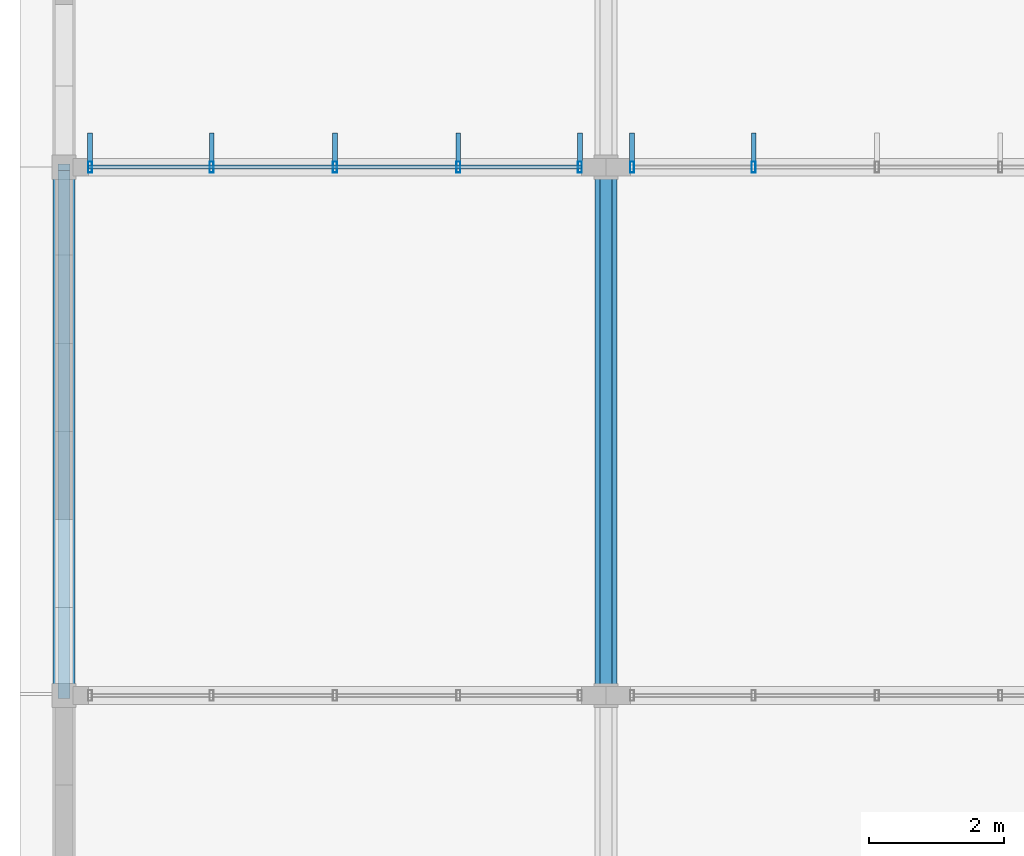
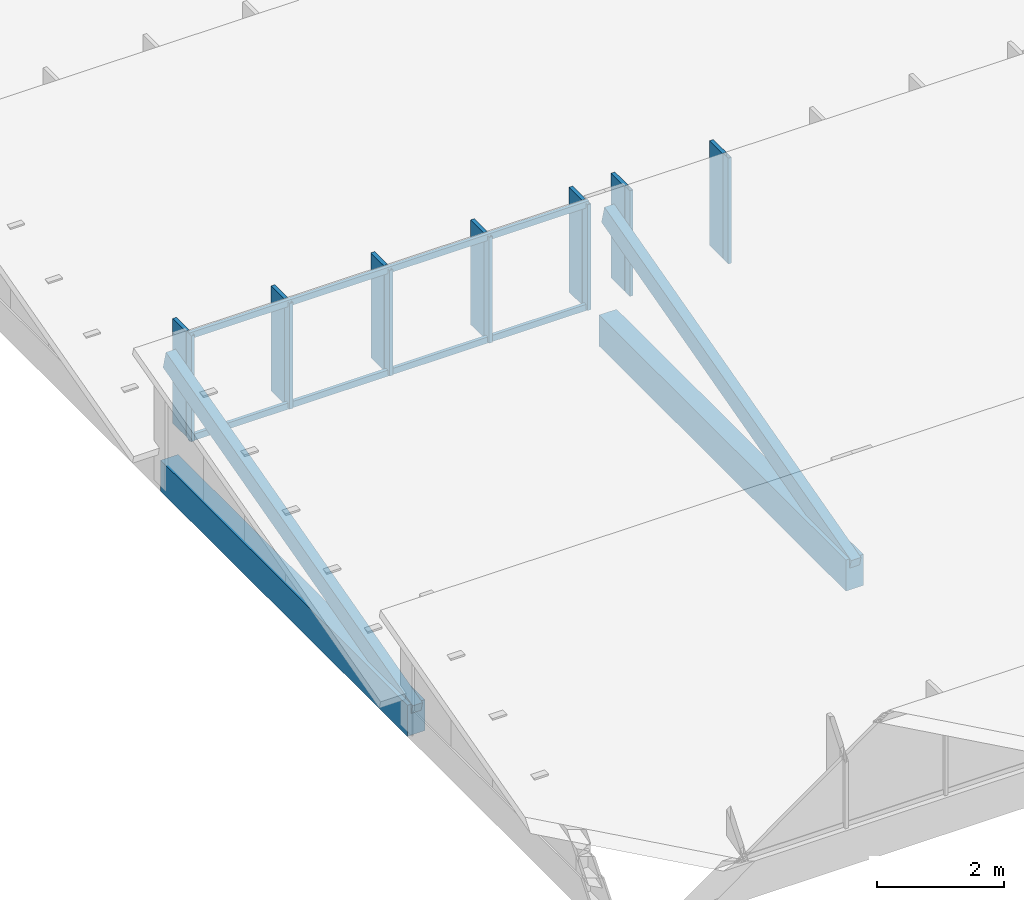
# One storey, part 14 of 94: 20 members, 2 elements without a shape of their own.
"""IFC4 building model written with IfcOpenShell, lengths in metres."""

from ifc_helpers import new_model, si_unit, direction, frame, origin, origin_2d, place, context, subcontext, project, spatial, rectangle, hollow_rectangle, extrude, material, material_profile, profile_set, type_object, element, aggregate, save


model = new_model("IFC4")

# Units and contexts
model_context = context("Model", 3, precision=1e-05, world=origin(), true_north=direction((0.0, 1.0)))
body_context = subcontext(model_context, "Body", "Model", "MODEL_VIEW")
ifc_project = project(units=[si_unit("LENGTHUNIT", "METRE"), si_unit("AREAUNIT", "SQUARE_METRE"), si_unit("VOLUMEUNIT", "CUBIC_METRE"), si_unit("PLANEANGLEUNIT", "RADIAN"), si_unit("MASSUNIT", "GRAM", prefix="KILO")], contexts=[model_context])

# Site, building, storey
site_placement = place(None, origin())
site = spatial("IfcSite", under=ifc_project, at=site_placement, CompositionType="ELEMENT")
building_placement = place(site_placement, origin())
building = spatial("IfcBuilding", under=site, at=building_placement, Name="Chiffa Square Polytechnic", CompositionType="ELEMENT")
storey_placement = place(building_placement, frame((0.0, 0.0, 18.0)))
storey = spatial("IfcBuildingStorey", under=building, at=storey_placement, Name="L04", CompositionType="ELEMENT", Elevation=18.0)

# Curtain wall, members
ifc_material_1 = material(Name="Aluminium EN AW-6060 T66 and glulam shading", Category="wood")
curtain_wall_type_1 = type_object("IfcCurtainWallType", Name="CW-VERT-360X380", PredefinedType="USERDEFINED", material=ifc_material_1)
curtain_wall_1_placement = place(storey_placement, origin())
curtain_wall_1 = element("IfcCurtainWall", 1, at=curtain_wall_1_placement, inside=storey, type_object=curtain_wall_type_1, Name="Curtain wall CW-V6-SAW4-1", ObjectType="CURTAIN WALL", PredefinedType="USERDEFINED")
ifc_material_2 = material(Name="Aluminium EN AW-6060 T66", Category="aluminium")
ifc_material_profile_1 = material_profile(ifc_material_2, hollow_rectangle(XDim=0.06005859375, YDim=0.159912109375, WallThickness=0.00390625, at=origin_2d()), Name="ALU 60x160x4")
ifc_profile_set_1 = profile_set([ifc_material_profile_1], Name="Aluminium EN AW-6060 T66")
member_type_1 = type_object("IfcMemberType", Name="CWM-ALU-65X150", PredefinedType="MULLION", material=ifc_profile_set_1)
member_1_placement = place(storey_placement, frame((7.614990234375, 65.39990234375, 0.699951171875), z_axis=(0.0, 0.0, 1.0), x_axis=(1.0, 0.0, 0.0)))
member_1 = element("IfcMember", 2, at=member_1_placement, type_object=member_type_1, Name="Curtain wall mullion CW-V6-SAW4-1-M00", PredefinedType="MULLION", context=body_context, shape_type="SweptSolid", body=[
    extrude(hollow_rectangle(XDim=0.06005859375, YDim=0.159912109375, WallThickness=0.00390625, at=origin_2d()), origin(), (0.0, 0.0, 1.0), 2.0400390625),
])
member_2_placement = place(storey_placement, frame((5.820068359375, 65.39990234375, 0.699951171875), z_axis=(0.0, 0.0, 1.0), x_axis=(1.0, 0.0, 0.0)))
member_2 = element("IfcMember", 3, at=member_2_placement, type_object=member_type_1, Name="Curtain wall mullion CW-V6-SAW4-1-M01", PredefinedType="MULLION", context=body_context, shape_type="SweptSolid", body=[
    extrude(hollow_rectangle(XDim=0.06005859375, YDim=0.159912109375, WallThickness=0.00390625, at=origin_2d()), origin(), (0.0, 0.0, 1.0), 2.0400390625),
])
member_3_placement = place(storey_placement, frame((4.0, 65.39990234375, 0.699951171875), z_axis=(0.0, 0.0, 1.0), x_axis=(1.0, 0.0, 0.0)))
member_3 = element("IfcMember", 4, at=member_3_placement, type_object=member_type_1, Name="Curtain wall mullion CW-V6-SAW4-1-M02", PredefinedType="MULLION", context=body_context, shape_type="SweptSolid", body=[
    extrude(hollow_rectangle(XDim=0.06005859375, YDim=0.159912109375, WallThickness=0.00390625, at=origin_2d()), origin(), (0.0, 0.0, 1.0), 2.0400390625),
])
member_4_placement = place(storey_placement, frame((2.179931640625, 65.39990234375, 0.699951171875), z_axis=(0.0, 0.0, 1.0), x_axis=(1.0, 0.0, 0.0)))
member_4 = element("IfcMember", 5, at=member_4_placement, type_object=member_type_1, Name="Curtain wall mullion CW-V6-SAW4-1-M03", PredefinedType="MULLION", context=body_context, shape_type="SweptSolid", body=[
    extrude(hollow_rectangle(XDim=0.06005859375, YDim=0.159912109375, WallThickness=0.00390625, at=origin_2d()), origin(), (0.0, 0.0, 1.0), 2.0400390625),
])
member_5_placement = place(storey_placement, frame((0.385009765625, 65.39990234375, 0.699951171875), z_axis=(0.0, 0.0, 1.0), x_axis=(1.0, 0.0, 0.0)))
member_5 = element("IfcMember", 6, at=member_5_placement, type_object=member_type_1, Name="Curtain wall mullion CW-V6-SAW4-1-M04", PredefinedType="MULLION", context=body_context, shape_type="SweptSolid", body=[
    extrude(hollow_rectangle(XDim=0.06005859375, YDim=0.159912109375, WallThickness=0.00390625, at=origin_2d()), origin(), (0.0, 0.0, 1.0), 2.0400390625),
])

curtain_wall_type_2 = type_object("IfcCurtainWallType", Name="CW-VERT-480X380", PredefinedType="USERDEFINED", material=ifc_material_1)
curtain_wall_2_placement = place(storey_placement, origin())
curtain_wall_2 = element("IfcCurtainWall", 7, at=curtain_wall_2_placement, inside=storey, type_object=curtain_wall_type_2, Name="Curtain wall CW-V6-SAW4-2", ObjectType="CURTAIN WALL", PredefinedType="USERDEFINED")
member_6_placement = place(storey_placement, frame((10.179931640625, 65.39990234375, 0.699951171875), z_axis=(0.0, 0.0, 1.0), x_axis=(1.0, 0.0, 0.0)))
member_6 = element("IfcMember", 8, at=member_6_placement, type_object=member_type_1, Name="Curtain wall mullion CW-V6-SAW4-2-M03", PredefinedType="MULLION", context=body_context, shape_type="SweptSolid", body=[
    extrude(hollow_rectangle(XDim=0.06005859375, YDim=0.159912109375, WallThickness=0.00390625, at=origin_2d()), origin(), (0.0, 0.0, 1.0), 2.0400390625),
])
member_7_placement = place(storey_placement, frame((8.385009765625, 65.39990234375, 0.699951171875), z_axis=(0.0, 0.0, 1.0), x_axis=(1.0, 0.0, 0.0)))
member_7 = element("IfcMember", 9, at=member_7_placement, type_object=member_type_1, Name="Curtain wall mullion CW-V6-SAW4-2-M04", PredefinedType="MULLION", context=body_context, shape_type="SweptSolid", body=[
    extrude(hollow_rectangle(XDim=0.06005859375, YDim=0.159912109375, WallThickness=0.00390625, at=origin_2d()), origin(), (0.0, 0.0, 1.0), 2.0400390625),
])

# Member
ifc_material_3 = material(Name="Glulam GL28h", Category="wood")
ifc_material_profile_2 = material_profile(ifc_material_3, rectangle(XDim=0.070068359375, YDim=0.419921875, at=origin_2d()), Name="GL28h 70x420")
ifc_profile_set_2 = profile_set([ifc_material_profile_2], Name="Glulam GL28h")
member_type_2 = type_object("IfcMemberType", Name="CWM-GL-70X420", PredefinedType="MULLION", material=ifc_profile_set_2)
member_8_placement = place(storey_placement, frame((7.614990234375, 65.69189453125, 0.7099609375), z_axis=(0.0, 0.0, 1.0), x_axis=(-1.0, 0.0, 0.0)))
member_8 = element("IfcMember", 10, at=member_8_placement, type_object=member_type_2, Name="Exterior glulam solar fin CW-V6-SAW4-1-FN00", PredefinedType="MULLION", context=body_context, shape_type="SweptSolid", body=[
    extrude(rectangle(XDim=0.070068359375, YDim=0.419921875, at=origin_2d()), origin(), (0.0, 0.0, 1.0), 2.02001953125),
])

member_9_placement = place(storey_placement, frame((5.820068359375, 65.69189453125, 0.7099609375), z_axis=(0.0, 0.0, 1.0), x_axis=(-1.0, 0.0, 0.0)))
member_9 = element("IfcMember", 11, at=member_9_placement, type_object=member_type_2, Name="Exterior glulam solar fin CW-V6-SAW4-1-FN01", PredefinedType="MULLION", context=body_context, shape_type="SweptSolid", body=[
    extrude(rectangle(XDim=0.070068359375, YDim=0.419921875, at=origin_2d()), origin(), (0.0, 0.0, 1.0), 2.02001953125),
])

member_10_placement = place(storey_placement, frame((4.0, 65.69189453125, 0.7099609375), z_axis=(0.0, 0.0, 1.0), x_axis=(-1.0, 0.0, 0.0)))
member_10 = element("IfcMember", 12, at=member_10_placement, type_object=member_type_2, Name="Exterior glulam solar fin CW-V6-SAW4-1-FN02", PredefinedType="MULLION", context=body_context, shape_type="SweptSolid", body=[
    extrude(rectangle(XDim=0.070068359375, YDim=0.419921875, at=origin_2d()), origin(), (0.0, 0.0, 1.0), 2.02001953125),
])

member_11_placement = place(storey_placement, frame((2.179931640625, 65.69189453125, 0.7099609375), z_axis=(0.0, 0.0, 1.0), x_axis=(-1.0, 0.0, 0.0)))
member_11 = element("IfcMember", 13, at=member_11_placement, type_object=member_type_2, Name="Exterior glulam solar fin CW-V6-SAW4-1-FN03", PredefinedType="MULLION", context=body_context, shape_type="SweptSolid", body=[
    extrude(rectangle(XDim=0.070068359375, YDim=0.419921875, at=origin_2d()), origin(), (0.0, 0.0, 1.0), 2.02001953125),
])

member_12_placement = place(storey_placement, frame((0.385009765625, 65.69189453125, 0.7099609375), z_axis=(0.0, 0.0, 1.0), x_axis=(-1.0, 0.0, 0.0)))
member_12 = element("IfcMember", 14, at=member_12_placement, type_object=member_type_2, Name="Exterior glulam solar fin CW-V6-SAW4-1-FN04", PredefinedType="MULLION", context=body_context, shape_type="SweptSolid", body=[
    extrude(rectangle(XDim=0.070068359375, YDim=0.419921875, at=origin_2d()), origin(), (0.0, 0.0, 1.0), 2.02001953125),
])

member_13_placement = place(storey_placement, frame((10.179931640625, 65.69189453125, 0.7099609375), z_axis=(0.0, 0.0, 1.0), x_axis=(-1.0, 0.0, 0.0)))
member_13 = element("IfcMember", 15, at=member_13_placement, type_object=member_type_2, Name="Exterior glulam solar fin CW-V6-SAW4-2-FN03", PredefinedType="MULLION", context=body_context, shape_type="SweptSolid", body=[
    extrude(rectangle(XDim=0.070068359375, YDim=0.419921875, at=origin_2d()), origin(), (0.0, 0.0, 1.0), 2.02001953125),
])

member_14_placement = place(storey_placement, frame((8.385009765625, 65.69189453125, 0.7099609375), z_axis=(0.0, 0.0, 1.0), x_axis=(-1.0, 0.0, 0.0)))
member_14 = element("IfcMember", 16, at=member_14_placement, type_object=member_type_2, Name="Exterior glulam solar fin CW-V6-SAW4-2-FN04", PredefinedType="MULLION", context=body_context, shape_type="SweptSolid", body=[
    extrude(rectangle(XDim=0.070068359375, YDim=0.419921875, at=origin_2d()), origin(), (0.0, 0.0, 1.0), 2.02001953125),
])

aggregate(curtain_wall_2, [member_6, member_13, member_7, member_14])

ifc_material_profile_3 = material_profile(ifc_material_2, hollow_rectangle(XDim=0.06005859375, YDim=0.1201171875, WallThickness=0.00390625, at=origin_2d()), Name="ALU 60x120x4")
ifc_profile_set_3 = profile_set([ifc_material_profile_3], Name="Aluminium EN AW-6060 T66")
member_type_3 = type_object("IfcMemberType", Name="CWT-ALU-65X120", PredefinedType="USERDEFINED", material=ifc_profile_set_3)
member_15_placement = place(storey_placement, frame((7.64208984375, 65.39990234375, 0.72998046875), z_axis=(-1.0, 0.0, 0.0), x_axis=(0.0, -1.0, 0.0)))
member_15 = element("IfcMember", 17, at=member_15_placement, type_object=member_type_3, Name="Curtain wall transom CW-V6-SAW4-1-T01", ObjectType="TRANSOM", PredefinedType="USERDEFINED", context=body_context, shape_type="SweptSolid", body=[
    extrude(hollow_rectangle(XDim=0.06005859375, YDim=0.1201171875, WallThickness=0.00390625, at=origin_2d()), origin(), (0.0, 0.0, 1.0), 7.2841796875),
])

member_16_placement = place(storey_placement, frame((7.64208984375, 65.39990234375, 2.7099609375), z_axis=(-1.0, 0.0, 0.0), x_axis=(0.0, -1.0, 0.0)))
member_16 = element("IfcMember", 18, at=member_16_placement, type_object=member_type_3, Name="Curtain wall transom CW-V6-SAW4-1-T02", ObjectType="TRANSOM", PredefinedType="USERDEFINED", context=body_context, shape_type="SweptSolid", body=[
    extrude(hollow_rectangle(XDim=0.06005859375, YDim=0.1201171875, WallThickness=0.00390625, at=origin_2d()), origin(), (0.0, 0.0, 1.0), 7.2841796875),
])

aggregate(curtain_wall_1, [member_1, member_8, member_2, member_9, member_3, member_10, member_4, member_11, member_5, member_12, member_15, member_16])

# Members
ifc_material_4 = material(Name="Glulam GL32c", Category="wood")
ifc_material_profile_4 = material_profile(ifc_material_4, rectangle(XDim=0.320068359375, YDim=0.60009765625, at=origin_2d()), Name="GL32c 320x600")
ifc_profile_set_4 = profile_set([ifc_material_profile_4], Name="Glulam GL32c")
member_type_4 = type_object("IfcMemberType", Name="MEM-CHORD-GL320", PredefinedType="CHORD", material=ifc_profile_set_4)
for number, where, z_axis, x_axis, name in (
    (19, (0.0, 57.60009765625, 0.179931640625), (0.0, 1.0, 0.0), (-1.0, 0.0, 0.0), "Studio sawtooth tie chord TCB-V6-SAW-016"),
    (20, (8.0, 57.60009765625, 0.179931640625), (0.0, 1.0, 0.0), (-1.0, 0.0, 0.0), "Studio sawtooth tie chord TCB-V6-SAW-017"),
):
    element("IfcMember", number, at=place(storey_placement, frame(where, z_axis=z_axis, x_axis=x_axis)), inside=storey, type_object=member_type_4, Name=name, PredefinedType="CHORD", context=body_context, shape_type="SweptSolid", body=[
        extrude(rectangle(XDim=0.320068359375, YDim=0.60009765625, at=origin_2d()), origin(), (0.0, 0.0, 1.0), 7.7998046875),
    ])
ifc_material_profile_5 = material_profile(ifc_material_3, rectangle(XDim=0.179931640625, YDim=0.360107421875, at=origin_2d()), Name="GL28h 180x360")
ifc_profile_set_5 = profile_set([ifc_material_profile_5], Name="Glulam GL28h")
member_type_5 = type_object("IfcMemberType", Name="MEM-RFT-GL180", PredefinedType="RAFTER", material=ifc_profile_set_5)
for number, where, z_axis, x_axis, name in (
    (21, (0.0, 57.60009765625, 0.300048828125), (0.0, 0.96592915804, 0.258806610518), (-1.0, 0.0, 0.0), "Studio sawtooth glulam rafter RF-V6-L04-016"),
    (22, (8.0, 57.60009765625, 0.300048828125), (0.0, 0.96592915804, 0.258806610518), (-1.0, 0.0, 0.0), "Studio sawtooth glulam rafter RF-V6-L04-017"),
):
    element("IfcMember", number, at=place(storey_placement, frame(where, z_axis=z_axis, x_axis=x_axis)), inside=storey, type_object=member_type_5, Name=name, PredefinedType="RAFTER", context=body_context, shape_type="SweptSolid", body=[
        extrude(rectangle(XDim=0.179931640625, YDim=0.360107421875, at=origin_2d()), origin(), (0.0, 0.0, 1.0), 8.074951171875),
    ])

save(model, "model.ifc")
